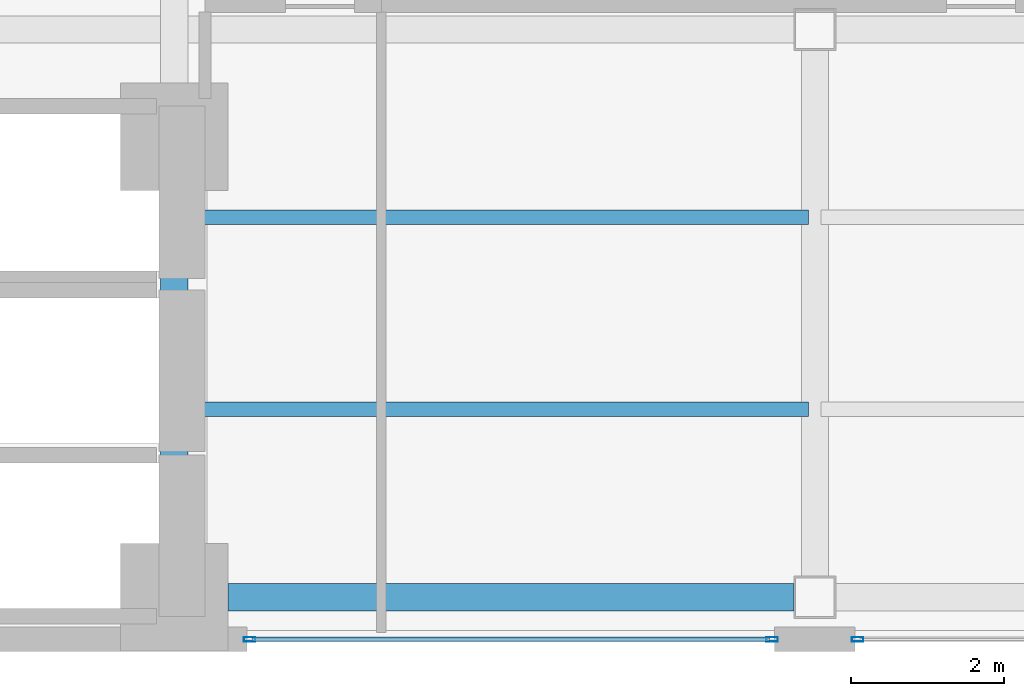
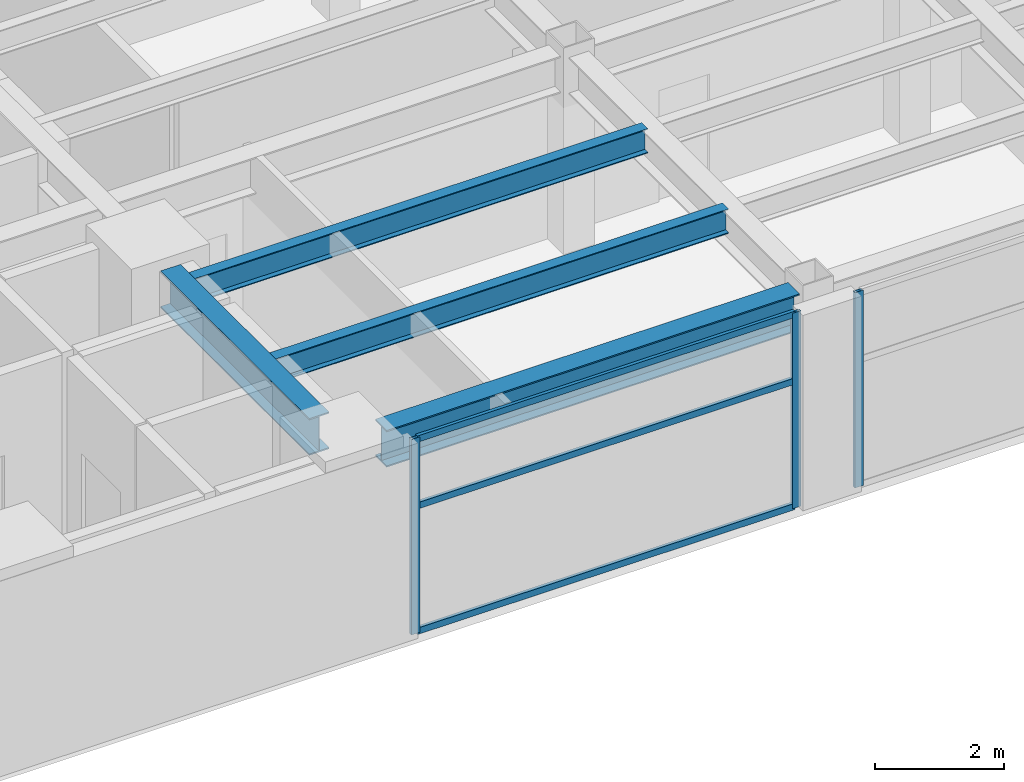
# One storey, part 4 of 17: 6 members, 4 beams, 2 elements without a shape of their own.
"""IFC4 building model written with IfcOpenShell, lengths in metres."""

from ifc_helpers import new_model, si_unit, direction, frame, origin, origin_2d, place, context, subcontext, project, spatial, hollow_rectangle, i_section, extrude, material, layer, layer_set, material_profile, profile_set, type_object, element, aggregate, save


model = new_model("IFC4")

# Units and contexts
model_context = context("Model", 3, precision=1e-05, world=origin(), true_north=direction((0.0, 1.0)))
body_context = subcontext(model_context, "Body", "Model", "MODEL_VIEW")
ifc_project = project(units=[si_unit("LENGTHUNIT", "METRE"), si_unit("AREAUNIT", "SQUARE_METRE"), si_unit("VOLUMEUNIT", "CUBIC_METRE"), si_unit("PLANEANGLEUNIT", "RADIAN"), si_unit("MASSUNIT", "GRAM", prefix="KILO")], contexts=[model_context])

# Site, building, storey
site_placement = place(None, origin())
site = spatial("IfcSite", under=ifc_project, at=site_placement, CompositionType="ELEMENT")
building_placement = place(site_placement, origin())
building = spatial("IfcBuilding", under=site, at=building_placement, Name="Mawjaban Terraces University", CompositionType="ELEMENT")
storey_placement = place(building_placement, frame((0.0, 0.0, 70.0)))
storey = spatial("IfcBuildingStorey", under=building, at=storey_placement, Name="L16", CompositionType="ELEMENT", Elevation=70.0)

# Beams
ifc_material_1 = material(Name="Steel ASTM A572 Grade 50", Category="steel")
ifc_material_profile_1 = material_profile(ifc_material_1, i_section(OverallWidth=0.35498046875, OverallDepth=0.695068359375, WebThickness=0.015380859375, FlangeThickness=0.02490234375, at=origin_2d()), Name="W690X217")
ifc_profile_set_1 = profile_set([ifc_material_profile_1], Name="Steel ASTM A572 Grade 50")
beam_type_1 = type_object("IfcBeamType", Name="Beam_B_W690X217", PredefinedType="BEAM", material=ifc_profile_set_1)
beam_1_placement = place(storey_placement, frame((38.35009765625, 0.550048828125, 3.343017578125), z_axis=(1.0, 0.0, 0.0), x_axis=(0.0, 1.0, 0.0)))
element("IfcBeam", 1, at=beam_1_placement, inside=storey, type_object=beam_type_1, Name="L16 Beam BM-L16-EW-01", PredefinedType="BEAM", context=body_context, shape_type="SweptSolid", body=[
    extrude(i_section(OverallWidth=0.35498046875, OverallDepth=0.695068359375, WebThickness=0.015380859375, FlangeThickness=0.02490234375, at=origin_2d()), origin(), (0.0, 0.0, 1.0), 7.375),
])
beam_2_placement = place(storey_placement, frame((37.64990234375, 1.25, 3.343017578125), z_axis=(0.0, 1.0, 0.0), x_axis=(-1.0, 0.0, 0.0)))
element("IfcBeam", 2, at=beam_2_placement, inside=storey, type_object=beam_type_1, Name="L16 Beam BM-L16-NS-07", PredefinedType="BEAM", context=body_context, shape_type="SweptSolid", body=[
    extrude(i_section(OverallWidth=0.35498046875, OverallDepth=0.695068359375, WebThickness=0.015380859375, FlangeThickness=0.02490234375, at=origin_2d()), origin(), (0.0, 0.0, 1.0), 4.60009765625),
])
ifc_material_profile_2 = material_profile(ifc_material_1, i_section(OverallWidth=0.19189453125, OverallDepth=0.462890625, WebThickness=0.010498046875, FlangeThickness=0.017578125, at=origin_2d()), Name="W460X89")
ifc_profile_set_2 = profile_set([ifc_material_profile_2], Name="Steel ASTM A572 Grade 50")
beam_type_2 = type_object("IfcBeamType", Name="Beam_J_W460X89", PredefinedType="JOIST", material=ifc_profile_set_2)
for number, where, z_axis, x_axis, name in (
    (3, (37.72998046875, 3.0, 3.458984375), (1.0, 0.0, 0.0), (0.0, 1.0, 0.0), "L16 Composite Joist JST-L16-01"),
    (4, (37.72998046875, 5.5, 3.458984375), (1.0, 0.0, 0.0), (0.0, 1.0, 0.0), "L16 Composite Joist JST-L16-06"),
):
    element("IfcBeam", number, at=place(storey_placement, frame(where, z_axis=z_axis, x_axis=x_axis)), inside=storey, type_object=beam_type_2, Name=name, PredefinedType="JOIST", context=body_context, shape_type="SweptSolid", body=[
        extrude(i_section(OverallWidth=0.19189453125, OverallDepth=0.462890625, WebThickness=0.010498046875, FlangeThickness=0.017578125, at=origin_2d()), origin(), (0.0, 0.0, 1.0), 8.18994140625),
    ])

# Curtain wall, members
ifc_material_2 = material(Name="Anodised aluminium 6063-T6 and solar-control low-E glass", Category="aluminium")
ifc_layer = layer(ifc_material_2, 0.1650390625)
ifc_layer_set = layer_set([ifc_layer], Name="Anodised aluminium 6063-T6 and solar-control low-E glass")
curtain_wall_type = type_object("IfcCurtainWallType", Name="CWSystem_04_EastWing", PredefinedType="NOTDEFINED", material=ifc_layer_set)
curtain_wall_1_placement = place(storey_placement, origin())
curtain_wall_1 = element("IfcCurtainWall", 5, at=curtain_wall_1_placement, inside=storey, type_object=curtain_wall_type, Name="L16 Curtain Wall CW-04 Run 1.2", PredefinedType="NOTDEFINED")
ifc_material_3 = material(Name="Anodised aluminium 6063-T6", Category="aluminium")
ifc_material_profile_3 = material_profile(ifc_material_3, hollow_rectangle(XDim=0.06005859375, YDim=0.14990234375, WallThickness=0.00390625, at=origin_2d()), Name="ALU150X60X4")
ifc_profile_set_3 = profile_set([ifc_material_profile_3], Name="Anodised aluminium 6063-T6")
member_type_1 = type_object("IfcMemberType", Name="Mullion_CW-04", PredefinedType="MULLION", material=ifc_profile_set_3)
member_1_placement = place(storey_placement, frame((38.632568359375, 0.0, 0.0), z_axis=(0.0, 0.0, 1.0), x_axis=(0.0, 1.0, 0.0)))
member_1 = element("IfcMember", 6, at=member_1_placement, type_object=member_type_1, Name="CW-04 mullion 1", PredefinedType="MULLION", context=body_context, shape_type="SweptSolid", body=[
    extrude(hollow_rectangle(XDim=0.06005859375, YDim=0.14990234375, WallThickness=0.00390625, at=origin_2d()), origin(), (0.0, 0.0, 1.0), 3.68994140625),
])
member_2_placement = place(storey_placement, frame((45.4423828125, 0.0, 0.0), z_axis=(0.0, 0.0, 1.0), x_axis=(0.0, 1.0, 0.0)))
member_2 = element("IfcMember", 7, at=member_2_placement, type_object=member_type_1, Name="CW-04 mullion 2", PredefinedType="MULLION", context=body_context, shape_type="SweptSolid", body=[
    extrude(hollow_rectangle(XDim=0.06005859375, YDim=0.14990234375, WallThickness=0.00390625, at=origin_2d()), origin(), (0.0, 0.0, 1.0), 3.68994140625),
])

# Curtain wall, member
curtain_wall_2_placement = place(storey_placement, origin())
curtain_wall_2 = element("IfcCurtainWall", 8, at=curtain_wall_2_placement, inside=storey, type_object=curtain_wall_type, Name="L16 Curtain Wall CW-04 Run 1.3", PredefinedType="NOTDEFINED")
member_3_placement = place(storey_placement, frame((46.5576171875, 0.0, 0.0), z_axis=(0.0, 0.0, 1.0), x_axis=(0.0, 1.0, 0.0)))
member_3 = element("IfcMember", 9, at=member_3_placement, type_object=member_type_1, Name="CW-04 mullion 1", PredefinedType="MULLION", context=body_context, shape_type="SweptSolid", body=[
    extrude(hollow_rectangle(XDim=0.06005859375, YDim=0.14990234375, WallThickness=0.00390625, at=origin_2d()), origin(), (0.0, 0.0, 1.0), 3.68994140625),
])
aggregate(curtain_wall_2, [member_3])

# Member
ifc_material_profile_4 = material_profile(ifc_material_3, hollow_rectangle(XDim=0.06005859375, YDim=0.1201171875, WallThickness=0.00341796875, at=origin_2d()), Name="ALU120X60X3.5")
ifc_profile_set_4 = profile_set([ifc_material_profile_4], Name="Anodised aluminium 6063-T6")
member_type_2 = type_object("IfcMemberType", Name="Transom_CW-04", PredefinedType="NOTDEFINED", material=ifc_profile_set_4)
member_4_placement = place(storey_placement, frame((38.6650390625, 0.0, 0.030029296875), z_axis=(1.0, 0.0, 0.0), x_axis=(0.0, 1.0, 0.0)))
member_4 = element("IfcMember", 10, at=member_4_placement, type_object=member_type_2, Name="CW-04 transom 1.1", ObjectType="TRANSOM", PredefinedType="USERDEFINED", context=body_context, shape_type="SweptSolid", body=[
    extrude(hollow_rectangle(XDim=0.06005859375, YDim=0.1201171875, WallThickness=0.00341796875, at=origin_2d()), origin(), (0.0, 0.0, 1.0), 6.744873046875),
])

member_5_placement = place(storey_placement, frame((38.6650390625, 0.0, 2.39794921875), z_axis=(1.0, 0.0, 0.0), x_axis=(0.0, 1.0, 0.0)))
member_5 = element("IfcMember", 11, at=member_5_placement, type_object=member_type_2, Name="CW-04 transom 1.2", ObjectType="TRANSOM", PredefinedType="USERDEFINED", context=body_context, shape_type="SweptSolid", body=[
    extrude(hollow_rectangle(XDim=0.06005859375, YDim=0.1201171875, WallThickness=0.00341796875, at=origin_2d()), origin(), (0.0, 0.0, 1.0), 6.744873046875),
])

member_6_placement = place(storey_placement, frame((38.6650390625, 0.0, 3.659912109375), z_axis=(1.0, 0.0, 0.0), x_axis=(0.0, 1.0, 0.0)))
member_6 = element("IfcMember", 12, at=member_6_placement, type_object=member_type_2, Name="CW-04 transom 1.3", ObjectType="TRANSOM", PredefinedType="USERDEFINED", context=body_context, shape_type="SweptSolid", body=[
    extrude(hollow_rectangle(XDim=0.06005859375, YDim=0.1201171875, WallThickness=0.00341796875, at=origin_2d()), origin(), (0.0, 0.0, 1.0), 6.744873046875),
])

aggregate(curtain_wall_1, [member_1, member_2, member_4, member_5, member_6])

save(model, "model.ifc")
